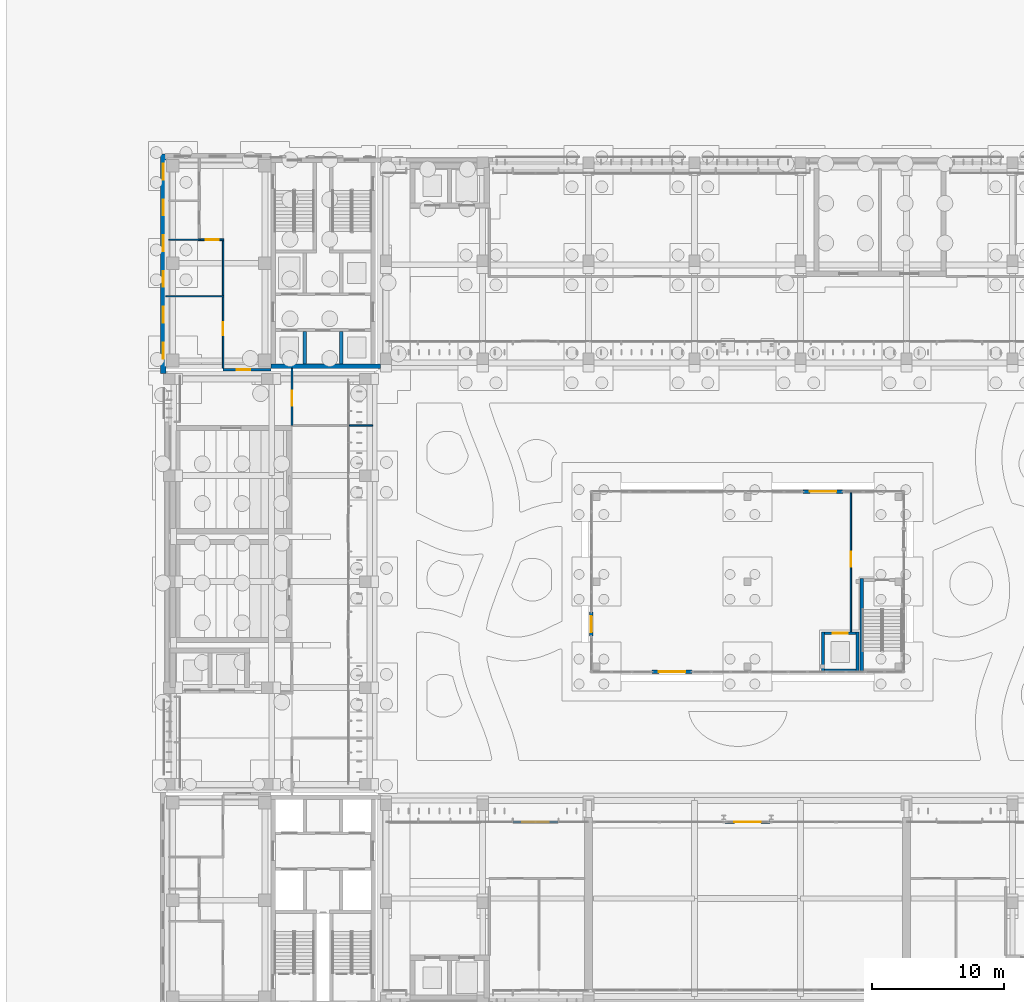
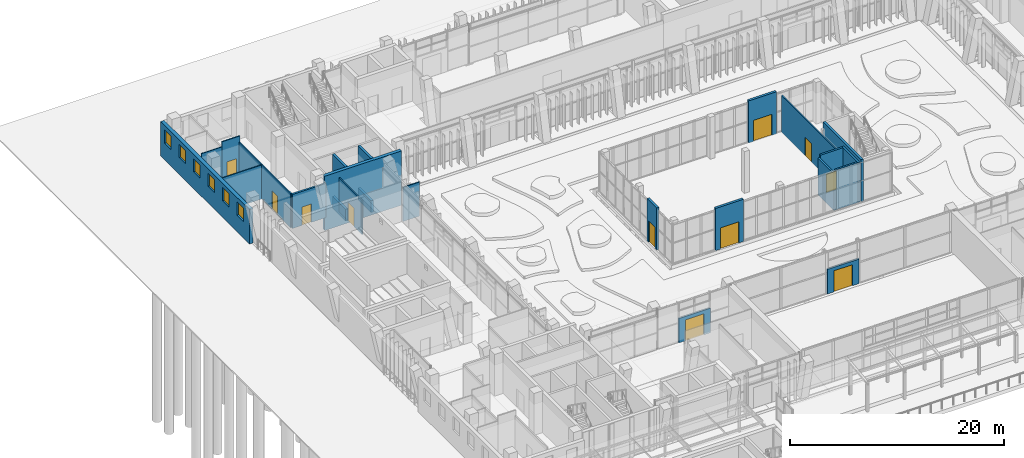
# One storey, part 109 of 144: 24 walls, 11 doors, 6 windows, 17 openings.
"""IFC4 building model written with IfcOpenShell, lengths in metres."""

from ifc_helpers import new_model, si_unit, direction, frame, frame_2d, origin, place, context, subcontext, project, spatial, rectangle, extrude, material, layer, layer_set, type_object, element, fill, save


model = new_model("IFC4")

# Units and contexts
model_context = context("Model", 3, precision=1e-05, world=origin(), true_north=direction((0.0, 1.0)))
body_context = subcontext(model_context, "Body", "Model", "MODEL_VIEW")
ifc_project = project(units=[si_unit("LENGTHUNIT", "METRE"), si_unit("AREAUNIT", "SQUARE_METRE"), si_unit("VOLUMEUNIT", "CUBIC_METRE"), si_unit("PLANEANGLEUNIT", "RADIAN"), si_unit("MASSUNIT", "GRAM", prefix="KILO")], contexts=[model_context])

# Site, building, storey
site_placement = place(None, origin())
site = spatial("IfcSite", under=ifc_project, at=site_placement, CompositionType="ELEMENT")
building_placement = place(site_placement, origin())
building = spatial("IfcBuilding", under=site, at=building_placement, Name="Lantern Court Media Centre", CompositionType="ELEMENT")
storey_placement = place(building_placement, origin())
storey = spatial("IfcBuildingStorey", under=building, at=storey_placement, Name="L00", CompositionType="ELEMENT", Elevation=0.0)

# Wall, opening, door
ifc_material_1 = material(Name="Gypsum board partition")
ifc_layer_1 = layer(ifc_material_1, 0.125)
ifc_layer_set_1 = layer_set([ifc_layer_1], Name="Gypsum board partition")
wall_type_1 = type_object("IfcWallType", Name="Corridor partition 125", PredefinedType="PARTITIONING", material=ifc_layer_set_1)
wall_1_placement = place(storey_placement, frame((17.60009765625, 91.800048828125, 0.0), z_axis=(0.0, 0.0, 1.0), x_axis=(0.0, 1.0, 0.0)))
wall_1 = element("IfcWall", 1, at=wall_1_placement, inside=storey, type_object=wall_type_1, Name="L00 partition 015", PredefinedType="PARTITIONING", context=body_context, shape_type="SweptSolid", body=[
    extrude(rectangle(XDim=4.300048828125, YDim=0.125, at=frame_2d((2.14990234375, 0.0))), origin(), (0.0, 0.0, 1.0), 3.8798828125),
])
opening_1_placement = place(wall_1_placement, frame((1.47509765625, 0.0, 0.0)))
opening_1 = element("IfcOpeningElement", 2, at=opening_1_placement, cuts=wall_1, Name="Opening L00-011", PredefinedType="OPENING", context=body_context, shape_type="SweptSolid", body=[
    extrude(rectangle(XDim=1.14990234375, YDim=2.10009765625, at=frame_2d((0.574951171875, 1.050048828125))), frame((0.0, 0.072509765625, 0.0), z_axis=(0.0, -1.0, 0.0), x_axis=(1.0, 0.0, 0.0)), (0.0, 0.0, 1.0), 0.14501953125),
])
ifc_material_2 = material(Name="Solid-core timber door leaf", Category="wood")
door_type_1 = type_object("IfcDoorType", Name="Single door 1150x2100", OperationType="NOTDEFINED", PredefinedType="DOOR", material=ifc_material_2)
door_1_placement = place(opening_1_placement, frame((1.14990234375, 0.0, 0.0), z_axis=(0.0, 0.0, 1.0), x_axis=(-1.0, 0.0, 0.0)))
door_1 = element("IfcDoor", 3, at=door_1_placement, inside=storey, type_object=door_type_1, Name="L00 Cinema Concessions door", OperationType="SINGLE_SWING_RIGHT", OverallHeight=2.10009765625, OverallWidth=1.14990234375, PredefinedType="DOOR", context=body_context, shape_type="SweptSolid", body=[
    extrude(rectangle(XDim=1.14990234375, YDim=2.10009765625, at=frame_2d((0.574951171875, 1.050048828125))), frame((0.0, 0.02490234375, 0.0), z_axis=(0.0, -1.0, 0.0), x_axis=(1.0, 0.0, 0.0)), (0.0, 0.0, 1.0), 0.050048828125),
])
fill(opening_1, door_1)

# Wall
wall_2_placement = place(storey_placement, frame((21.929931640625, 91.800048828125, 0.0), z_axis=(0.0, 0.0, 1.0), x_axis=(1.0, 0.0, 0.0)))
element("IfcWall", 4, at=wall_2_placement, inside=storey, type_object=wall_type_1, Name="L00 partition 021", PredefinedType="PARTITIONING", context=body_context, shape_type="SweptSolid", body=[
    extrude(rectangle(XDim=1.77001953125, YDim=0.125, at=frame_2d((0.885009765625, 0.0))), origin(), (0.0, 0.0, 1.0), 3.8798828125),
])

# Wall, opening, door
wall_3_placement = place(storey_placement, frame((12.39990234375, 96.10009765625, 0.0), z_axis=(0.0, 0.0, 1.0), x_axis=(0.0, 1.0, 0.0)))
wall_3 = element("IfcWall", 5, at=wall_3_placement, inside=storey, type_object=wall_type_1, Name="L00 partition 029", PredefinedType="PARTITIONING", context=body_context, shape_type="SweptSolid", body=[
    extrude(rectangle(XDim=9.65771484375, YDim=0.125, at=frame_2d((4.828857421875, 0.0))), origin(), (0.0, 0.0, 1.0), 3.8798828125),
])
opening_2_placement = place(wall_3_placement, frame((2.50146484375, 0.0, 0.0)))
opening_2 = element("IfcOpeningElement", 6, at=opening_2_placement, cuts=wall_3, Name="Opening L00-028", PredefinedType="OPENING", context=body_context, shape_type="SweptSolid", body=[
    extrude(rectangle(XDim=1.0, YDim=2.10009765625, at=frame_2d((0.5, 1.050048828125))), frame((0.0, 0.072509765625, 0.0), z_axis=(0.0, -1.0, 0.0), x_axis=(1.0, 0.0, 0.0)), (0.0, 0.0, 1.0), 0.14501953125),
])
door_type_2 = type_object("IfcDoorType", Name="Single door 1000x2100", OperationType="NOTDEFINED", PredefinedType="DOOR", material=ifc_material_2)
door_2_placement = place(opening_2_placement, origin())
door_2 = element("IfcDoor", 7, at=door_2_placement, inside=storey, type_object=door_type_2, Name="L00 Media Training Room 04 door", OperationType="SINGLE_SWING_LEFT", OverallHeight=2.10009765625, OverallWidth=1.0, PredefinedType="DOOR", context=body_context, shape_type="SweptSolid", body=[
    extrude(rectangle(XDim=1.0, YDim=2.10009765625, at=frame_2d((0.5, 1.050048828125))), frame((0.0, 0.02490234375, 0.0), z_axis=(0.0, -1.0, 0.0), x_axis=(1.0, 0.0, 0.0)), (0.0, 0.0, 1.0), 0.050048828125),
])
fill(opening_2, door_2)

wall_4_placement = place(storey_placement, frame((10.53759765625, 105.820068359375, 0.0), z_axis=(0.0, 0.0, 1.0), x_axis=(1.0, 0.0, 0.0)))
wall_4 = element("IfcWall", 8, at=wall_4_placement, inside=storey, type_object=wall_type_1, Name="L00 partition 049", PredefinedType="PARTITIONING", context=body_context, shape_type="SweptSolid", body=[
    extrude(rectangle(XDim=1.9248046875, YDim=0.125, at=frame_2d((0.96240234375, 0.0))), origin(), (0.0, 0.0, 1.0), 4.56005859375),
])
opening_3_placement = place(wall_4_placement, frame((0.53515625, 0.0, 0.0)))
opening_3 = element("IfcOpeningElement", 9, at=opening_3_placement, cuts=wall_4, Name="Opening L00-027", PredefinedType="OPENING", context=body_context, shape_type="SweptSolid", body=[
    extrude(rectangle(XDim=1.0, YDim=2.10009765625, at=frame_2d((0.5, 1.050048828125))), frame((0.0, 0.072509765625, 0.0), z_axis=(0.0, -1.0, 0.0), x_axis=(1.0, 0.0, 0.0)), (0.0, 0.0, 1.0), 0.14501953125),
])
door_3_placement = place(opening_3_placement, frame((1.0, 0.0, 0.0), z_axis=(0.0, 0.0, 1.0), x_axis=(-1.0, 0.0, 0.0)))
door_3 = element("IfcDoor", 10, at=door_3_placement, inside=storey, type_object=door_type_2, Name="L00 Production Reception door", OperationType="SINGLE_SWING_RIGHT", OverallHeight=2.10009765625, OverallWidth=1.0, PredefinedType="DOOR", context=body_context, shape_type="SweptSolid", body=[
    extrude(rectangle(XDim=1.0, YDim=2.10009765625, at=frame_2d((0.5, 1.050048828125))), frame((0.0, 0.02490234375, 0.0), z_axis=(0.0, -1.0, 0.0), x_axis=(1.0, 0.0, 0.0)), (0.0, 0.0, 1.0), 0.050048828125),
])
fill(opening_3, door_3)

wall_5_placement = place(storey_placement, frame((59.800048828125, 76.199951171875, 0.0), z_axis=(0.0, 0.0, 1.0), x_axis=(0.0, 1.0, 0.0)))
wall_5 = element("IfcWall", 11, at=wall_5_placement, inside=storey, type_object=wall_type_1, Name="L00 partition 066", PredefinedType="PARTITIONING", context=body_context, shape_type="SweptSolid", body=[
    extrude(rectangle(XDim=10.5, YDim=0.125, at=frame_2d((5.25, 0.0))), origin(), (0.0, 0.0, 1.0), 4.179931640625),
])
opening_4_placement = place(wall_5_placement, frame((4.9150390625, 0.0, 0.0)))
opening_4 = element("IfcOpeningElement", 12, at=opening_4_placement, cuts=wall_5, Name="Opening L00-044", PredefinedType="OPENING", context=body_context, shape_type="SweptSolid", body=[
    extrude(rectangle(XDim=1.14990234375, YDim=2.10009765625, at=frame_2d((0.574951171875, 1.050048828125))), frame((0.0, 0.072509765625, 0.0), z_axis=(0.0, -1.0, 0.0), x_axis=(1.0, 0.0, 0.0)), (0.0, 0.0, 1.0), 0.14501953125),
])
door_4_placement = place(opening_4_placement, frame((1.14990234375, 0.0, 0.0), z_axis=(0.0, 0.0, 1.0), x_axis=(-1.0, 0.0, 0.0)))
door_4 = element("IfcDoor", 13, at=door_4_placement, inside=storey, type_object=door_type_1, Name="L00 Press Lounge door", OperationType="SINGLE_SWING_LEFT", OverallHeight=2.10009765625, OverallWidth=1.14990234375, PredefinedType="DOOR", context=body_context, shape_type="SweptSolid", body=[
    extrude(rectangle(XDim=1.14990234375, YDim=2.10009765625, at=frame_2d((0.574951171875, 1.050048828125))), frame((0.0, 0.02490234375, 0.0), z_axis=(0.0, -1.0, 0.0), x_axis=(1.0, 0.0, 0.0)), (0.0, 0.0, 1.0), 0.050048828125),
])
fill(opening_4, door_4)

ifc_material_3 = material(Name="Insulated rendered blockwork", Category="masonry")
ifc_layer_2 = layer(ifc_material_3, 0.179931640625)
ifc_layer_set_2 = layer_set([ifc_layer_2], Name="Insulated rendered blockwork")
wall_type_2 = type_object("IfcWallType", Name="Entrance bay infill wall 180", PredefinedType="SOLIDWALL", material=ifc_layer_set_2)
wall_6_placement = place(storey_placement, frame((34.300048828125, 61.85009765625, 0.0), z_axis=(0.0, 0.0, 1.0), x_axis=(1.0, 0.0, 0.0)))
wall_6 = element("IfcWall", 14, at=wall_6_placement, inside=storey, type_object=wall_type_2, Name="Entrance bay wall S inner L00", PredefinedType="SOLIDWALL", context=body_context, shape_type="SweptSolid", body=[
    extrude(rectangle(XDim=3.39990234375, YDim=0.179931640625, at=frame_2d((1.699951171875, 0.0))), origin(), (0.0, 0.0, 1.0), 2.800048828125),
])
opening_5_placement = place(wall_6_placement, frame((0.699951171875, 0.0, 0.0)))
opening_5 = element("IfcOpeningElement", 15, at=opening_5_placement, cuts=wall_6, Name="Opening XD03", PredefinedType="OPENING", context=body_context, shape_type="SweptSolid", body=[
    extrude(rectangle(XDim=2.0, YDim=2.39990234375, at=frame_2d((1.0, 1.199951171875))), frame((0.0, 0.099853515625, 0.0), z_axis=(0.0, -1.0, 0.0), x_axis=(1.0, 0.0, 0.0)), (0.0, 0.0, 1.0), 0.199951171875),
])
ifc_material_4 = material(Name="Anodised aluminium and glass", Category="aluminium")
door_type_3 = type_object("IfcDoorType", Name="Entrance double door 2000x2400", OperationType="DOUBLE_DOOR_SINGLE_SWING", PredefinedType="DOOR", material=ifc_material_4)
door_5_placement = place(opening_5_placement, origin())
door_5 = element("IfcDoor", 16, at=door_5_placement, inside=storey, type_object=door_type_3, Name="Entrance door XD03", OperationType="SINGLE_SWING_LEFT", OverallHeight=2.39990234375, OverallWidth=2.0, PredefinedType="DOOR", context=body_context, shape_type="SweptSolid", body=[
    extrude(rectangle(XDim=2.0, YDim=2.39990234375, at=frame_2d((1.0, 1.199951171875))), frame((0.0, 0.02490234375, 0.0), z_axis=(0.0, -1.0, 0.0), x_axis=(1.0, 0.0, 0.0)), (0.0, 0.0, 1.0), 0.050048828125),
])
fill(opening_5, door_5)

ifc_layer_3 = layer(ifc_material_3, 0.199951171875)
ifc_layer_set_3 = layer_set([ifc_layer_3], Name="Insulated rendered blockwork")
wall_type_3 = type_object("IfcWallType", Name="Entrance bay infill wall 200", PredefinedType="SOLIDWALL", material=ifc_layer_set_3)
wall_7_placement = place(storey_placement, frame((50.300048828125, 61.85009765625, 0.0), z_axis=(0.0, 0.0, 1.0), x_axis=(1.0, 0.0, 0.0)))
wall_7 = element("IfcWall", 17, at=wall_7_placement, inside=storey, type_object=wall_type_3, Name="Entrance hall portal wall", PredefinedType="SOLIDWALL", context=body_context, shape_type="SweptSolid", body=[
    extrude(rectangle(XDim=3.39990234375, YDim=0.199951171875, at=frame_2d((1.699951171875, 0.0))), origin(), (0.0, 0.0, 1.0), 2.800048828125),
])
opening_6_placement = place(wall_7_placement, frame((0.699951171875, 0.0, 0.0)))
opening_6 = element("IfcOpeningElement", 18, at=opening_6_placement, cuts=wall_7, Name="Opening XD08", PredefinedType="OPENING", context=body_context, shape_type="SweptSolid", body=[
    extrude(rectangle(XDim=2.0, YDim=2.39990234375, at=frame_2d((1.0, 1.199951171875))), frame((0.0, 0.10986328125, 0.0), z_axis=(0.0, -1.0, 0.0), x_axis=(1.0, 0.0, 0.0)), (0.0, 0.0, 1.0), 0.219970703125),
])
door_6_placement = place(opening_6_placement, origin())
door_6 = element("IfcDoor", 19, at=door_6_placement, inside=storey, type_object=door_type_3, Name="Entrance door XD08", OperationType="SINGLE_SWING_LEFT", OverallHeight=2.39990234375, OverallWidth=2.0, PredefinedType="DOOR", context=body_context, shape_type="SweptSolid", body=[
    extrude(rectangle(XDim=2.0, YDim=2.39990234375, at=frame_2d((1.0, 1.199951171875))), frame((0.0, 0.02490234375, 0.0), z_axis=(0.0, -1.0, 0.0), x_axis=(1.0, 0.0, 0.0)), (0.0, 0.0, 1.0), 0.050048828125),
])
fill(opening_6, door_6)

# Wall, openings, windows
ifc_material_5 = material(Name="Honed limestone cladding on blockwork", Category="masonry")
ifc_layer_4 = layer(ifc_material_5, 0.39990234375)
ifc_layer_set_4 = layer_set([ifc_layer_4], Name="Honed limestone cladding on blockwork")
wall_type_4 = type_object("IfcWallType", Name="Limestone plinth wall 400", PredefinedType="SOLIDWALL", material=ifc_layer_set_4)
wall_8_placement = place(storey_placement, frame((7.8798828125, 95.72509765625, 0.0), z_axis=(0.0, 0.0, 1.0), x_axis=(0.0, 1.0, 0.0)))
wall_8 = element("IfcWall", 20, at=wall_8_placement, inside=storey, type_object=wall_type_4, Name="Limestone wall NW W L00", PredefinedType="SOLIDWALL", context=body_context, shape_type="SweptSolid", body=[
    extrude(rectangle(XDim=16.574951171875, YDim=0.39990234375, at=frame_2d((8.28759765625, 0.0))), origin(), (0.0, 0.0, 1.0), 3.89990234375),
])
opening_7_placement = place(wall_8_placement, frame((1.125, 0.0, 1.89990234375)))
opening_7 = element("IfcOpeningElement", 21, at=opening_7_placement, cuts=wall_8, Name="Opening WN-C", PredefinedType="OPENING", context=body_context, shape_type="SweptSolid", body=[
    extrude(rectangle(XDim=1.199951171875, YDim=1.5, at=frame_2d((0.60009765625, 0.75))), frame((0.0, 0.2099609375, 0.0), z_axis=(0.0, -1.0, 0.0), x_axis=(1.0, 0.0, 0.0)), (0.0, 0.0, 1.0), 0.419921875),
])
opening_8_placement = place(wall_8_placement, frame((3.824951171875, 0.0, 1.89990234375)))
opening_8 = element("IfcOpeningElement", 22, at=opening_8_placement, cuts=wall_8, Name="Opening WN-C", PredefinedType="OPENING", context=body_context, shape_type="SweptSolid", body=[
    extrude(rectangle(XDim=1.199951171875, YDim=1.5, at=frame_2d((0.60009765625, 0.75))), frame((0.0, 0.2099609375, 0.0), z_axis=(0.0, -1.0, 0.0), x_axis=(1.0, 0.0, 0.0)), (0.0, 0.0, 1.0), 0.419921875),
])
opening_9_placement = place(wall_8_placement, frame((6.52490234375, 0.0, 1.89990234375)))
opening_9 = element("IfcOpeningElement", 23, at=opening_9_placement, cuts=wall_8, Name="Opening WN-C", PredefinedType="OPENING", context=body_context, shape_type="SweptSolid", body=[
    extrude(rectangle(XDim=1.199951171875, YDim=1.5, at=frame_2d((0.60009765625, 0.75))), frame((0.0, 0.2099609375, 0.0), z_axis=(0.0, -1.0, 0.0), x_axis=(1.0, 0.0, 0.0)), (0.0, 0.0, 1.0), 0.419921875),
])
opening_10_placement = place(wall_8_placement, frame((9.22509765625, 0.0, 1.89990234375)))
opening_10 = element("IfcOpeningElement", 24, at=opening_10_placement, cuts=wall_8, Name="Opening WN-C", PredefinedType="OPENING", context=body_context, shape_type="SweptSolid", body=[
    extrude(rectangle(XDim=1.199951171875, YDim=1.5, at=frame_2d((0.60009765625, 0.75))), frame((0.0, 0.2099609375, 0.0), z_axis=(0.0, -1.0, 0.0), x_axis=(1.0, 0.0, 0.0)), (0.0, 0.0, 1.0), 0.419921875),
])
opening_11_placement = place(wall_8_placement, frame((11.925048828125, 0.0, 1.89990234375)))
opening_11 = element("IfcOpeningElement", 25, at=opening_11_placement, cuts=wall_8, Name="Opening WN-C", PredefinedType="OPENING", context=body_context, shape_type="SweptSolid", body=[
    extrude(rectangle(XDim=1.199951171875, YDim=1.5, at=frame_2d((0.60009765625, 0.75))), frame((0.0, 0.2099609375, 0.0), z_axis=(0.0, -1.0, 0.0), x_axis=(1.0, 0.0, 0.0)), (0.0, 0.0, 1.0), 0.419921875),
])
opening_12_placement = place(wall_8_placement, frame((14.625, 0.0, 1.89990234375)))
opening_12 = element("IfcOpeningElement", 26, at=opening_12_placement, cuts=wall_8, Name="Opening WN-C", PredefinedType="OPENING", context=body_context, shape_type="SweptSolid", body=[
    extrude(rectangle(XDim=1.199951171875, YDim=1.5, at=frame_2d((0.60009765625, 0.75))), frame((0.0, 0.2099609375, 0.0), z_axis=(0.0, -1.0, 0.0), x_axis=(1.0, 0.0, 0.0)), (0.0, 0.0, 1.0), 0.419921875),
])
window_type = type_object("IfcWindowType", Name="Clerestory window 1200x1500", PartitioningType="SINGLE_PANEL", PredefinedType="WINDOW", material=ifc_material_4)
window_1_placement = place(opening_7_placement, origin())
window_1 = element("IfcWindow", 27, at=window_1_placement, inside=storey, type_object=window_type, Name="Window NW W L00", OverallHeight=1.5, OverallWidth=1.199951171875, PartitioningType="SINGLE_PANEL", PredefinedType="WINDOW", context=body_context, shape_type="SweptSolid", body=[
    extrude(rectangle(XDim=1.199951171875, YDim=1.5, at=frame_2d((0.60009765625, 0.75))), frame((0.0, 0.030029296875, 0.0), z_axis=(0.0, -1.0, 0.0), x_axis=(1.0, 0.0, 0.0)), (0.0, 0.0, 1.0), 0.06005859375),
])
fill(opening_7, window_1)
window_2_placement = place(opening_8_placement, origin())
window_2 = element("IfcWindow", 28, at=window_2_placement, inside=storey, type_object=window_type, Name="Window NW W L00", OverallHeight=1.5, OverallWidth=1.199951171875, PartitioningType="SINGLE_PANEL", PredefinedType="WINDOW", context=body_context, shape_type="SweptSolid", body=[
    extrude(rectangle(XDim=1.199951171875, YDim=1.5, at=frame_2d((0.60009765625, 0.75))), frame((0.0, 0.030029296875, 0.0), z_axis=(0.0, -1.0, 0.0), x_axis=(1.0, 0.0, 0.0)), (0.0, 0.0, 1.0), 0.06005859375),
])
fill(opening_8, window_2)
window_3_placement = place(opening_9_placement, origin())
window_3 = element("IfcWindow", 29, at=window_3_placement, inside=storey, type_object=window_type, Name="Window NW W L00", OverallHeight=1.5, OverallWidth=1.199951171875, PartitioningType="SINGLE_PANEL", PredefinedType="WINDOW", context=body_context, shape_type="SweptSolid", body=[
    extrude(rectangle(XDim=1.199951171875, YDim=1.5, at=frame_2d((0.60009765625, 0.75))), frame((0.0, 0.030029296875, 0.0), z_axis=(0.0, -1.0, 0.0), x_axis=(1.0, 0.0, 0.0)), (0.0, 0.0, 1.0), 0.06005859375),
])
fill(opening_9, window_3)
window_4_placement = place(opening_10_placement, origin())
window_4 = element("IfcWindow", 30, at=window_4_placement, inside=storey, type_object=window_type, Name="Window NW W L00", OverallHeight=1.5, OverallWidth=1.199951171875, PartitioningType="SINGLE_PANEL", PredefinedType="WINDOW", context=body_context, shape_type="SweptSolid", body=[
    extrude(rectangle(XDim=1.199951171875, YDim=1.5, at=frame_2d((0.60009765625, 0.75))), frame((0.0, 0.030029296875, 0.0), z_axis=(0.0, -1.0, 0.0), x_axis=(1.0, 0.0, 0.0)), (0.0, 0.0, 1.0), 0.06005859375),
])
fill(opening_10, window_4)
window_5_placement = place(opening_11_placement, origin())
window_5 = element("IfcWindow", 31, at=window_5_placement, inside=storey, type_object=window_type, Name="Window NW W L00", OverallHeight=1.5, OverallWidth=1.199951171875, PartitioningType="SINGLE_PANEL", PredefinedType="WINDOW", context=body_context, shape_type="SweptSolid", body=[
    extrude(rectangle(XDim=1.199951171875, YDim=1.5, at=frame_2d((0.60009765625, 0.75))), frame((0.0, 0.030029296875, 0.0), z_axis=(0.0, -1.0, 0.0), x_axis=(1.0, 0.0, 0.0)), (0.0, 0.0, 1.0), 0.06005859375),
])
fill(opening_11, window_5)
window_6_placement = place(opening_12_placement, origin())
window_6 = element("IfcWindow", 32, at=window_6_placement, inside=storey, type_object=window_type, Name="Window NW W L00", OverallHeight=1.5, OverallWidth=1.199951171875, PartitioningType="SINGLE_PANEL", PredefinedType="WINDOW", context=body_context, shape_type="SweptSolid", body=[
    extrude(rectangle(XDim=1.199951171875, YDim=1.5, at=frame_2d((0.60009765625, 0.75))), frame((0.0, 0.030029296875, 0.0), z_axis=(0.0, -1.0, 0.0), x_axis=(1.0, 0.0, 0.0)), (0.0, 0.0, 1.0), 0.06005859375),
])
fill(opening_12, window_6)

# Wall, opening, door
ifc_material_6 = material(Name="Fire-rated gypsum board")
ifc_layer_5 = layer(ifc_material_6, 0.199951171875)
ifc_layer_set_5 = layer_set([ifc_layer_5], Name="Fire-rated gypsum board")
wall_type_5 = type_object("IfcWallType", Name="Movement-joint compartment wall 200", PredefinedType="PARTITIONING", material=ifc_layer_set_5)
wall_9_placement = place(storey_placement, frame((12.39990234375, 96.0, 0.0), z_axis=(0.0, 0.0, 1.0), x_axis=(1.0, 0.0, 0.0)))
wall_9 = element("IfcWall", 33, at=wall_9_placement, inside=storey, type_object=wall_type_5, Name="L00 movement-joint wall 02", PredefinedType="PARTITIONING", context=body_context, shape_type="SweptSolid", body=[
    extrude(rectangle(XDim=3.60009765625, YDim=0.199951171875, at=frame_2d((1.800048828125, 0.0))), origin(), (0.0, 0.0, 1.0), 3.8798828125),
])
opening_13_placement = place(wall_9_placement, frame((1.050048828125, 0.0, 0.0)))
opening_13 = element("IfcOpeningElement", 34, at=opening_13_placement, cuts=wall_9, Name="Opening L00-J02", PredefinedType="OPENING", context=body_context, shape_type="SweptSolid", body=[
    extrude(rectangle(XDim=1.0, YDim=2.10009765625, at=frame_2d((0.5, 1.050048828125))), frame((0.0, 0.10986328125, 0.0), z_axis=(0.0, -1.0, 0.0), x_axis=(1.0, 0.0, 0.0)), (0.0, 0.0, 1.0), 0.219970703125),
])
ifc_material_7 = material(Name="Steel door leaf", Category="steel")
door_type_4 = type_object("IfcDoorType", Name="Movement-joint fire door 1000x2100", OperationType="NOTDEFINED", PredefinedType="DOOR", material=ifc_material_7)
door_7_placement = place(opening_13_placement, origin())
door_7 = element("IfcDoor", 35, at=door_7_placement, inside=storey, type_object=door_type_4, Name="L00 bar end lobby door 02", OperationType="SINGLE_SWING_LEFT", OverallHeight=2.10009765625, OverallWidth=1.0, PredefinedType="DOOR", context=body_context, shape_type="SweptSolid", body=[
    extrude(rectangle(XDim=1.0, YDim=2.10009765625, at=frame_2d((0.5, 1.050048828125))), frame((0.0, 0.02490234375, 0.0), z_axis=(0.0, -1.0, 0.0), x_axis=(1.0, 0.0, 0.0)), (0.0, 0.0, 1.0), 0.050048828125),
])
fill(opening_13, door_7)

# Walls
ifc_layer_6 = layer(ifc_material_1, 0.10009765625)
ifc_layer_set_6 = layer_set([ifc_layer_6], Name="Gypsum board partition")
wall_type_6 = type_object("IfcWallType", Name="Partition 100", PredefinedType="PARTITIONING", material=ifc_layer_set_6)
wall_10_placement = place(storey_placement, frame((8.080078125, 101.552978515625, 0.0), z_axis=(0.0, 0.0, 1.0), x_axis=(1.0, 0.0, 0.0)))
element("IfcWall", 36, at=wall_10_placement, inside=storey, type_object=wall_type_6, Name="L00 partition 047", PredefinedType="PARTITIONING", context=body_context, shape_type="SweptSolid", body=[
    extrude(rectangle(XDim=4.38232421875, YDim=0.10009765625, at=frame_2d((2.191162109375, 0.0))), origin(), (0.0, 0.0, 1.0), 3.8798828125),
])
wall_11_placement = place(storey_placement, frame((8.300048828125, 105.820068359375, 0.0), z_axis=(0.0, 0.0, 1.0), x_axis=(1.0, 0.0, 0.0)))
element("IfcWall", 37, at=wall_11_placement, inside=storey, type_object=wall_type_6, Name="L00 partition 048", PredefinedType="PARTITIONING", context=body_context, shape_type="SweptSolid", body=[
    extrude(rectangle(XDim=2.362548828125, YDim=0.10009765625, at=frame_2d((1.18115234375, 0.0))), origin(), (0.0, 0.0, 1.0), 3.97998046875),
])

# Wall, opening, door
ifc_material_8 = material(Name="Limestone masonry, insulated", Category="masonry")
ifc_layer_7 = layer(ifc_material_8, 0.25)
ifc_layer_set_7 = layer_set([ifc_layer_7], Name="Limestone masonry, insulated")
wall_type_7 = type_object("IfcWallType", Name="Press box portal wall 250", PredefinedType="SOLIDWALL", material=ifc_layer_set_7)
wall_12_placement = place(storey_placement, frame((44.800048828125, 73.199951171875, 0.0), z_axis=(0.0, 0.0, 1.0), x_axis=(1.0, 0.0, 0.0)))
wall_12 = element("IfcWall", 38, at=wall_12_placement, inside=storey, type_object=wall_type_7, Name="Press box entrance wall S", PredefinedType="SOLIDWALL", context=body_context, shape_type="SweptSolid", body=[
    extrude(rectangle(XDim=3.0, YDim=0.25, at=frame_2d((1.5, 0.0))), origin(), (0.0, 0.0, 1.0), 4.800048828125),
])
opening_14_placement = place(wall_12_placement, frame((0.5, 0.0, 0.0)))
opening_14 = element("IfcOpeningElement", 39, at=opening_14_placement, cuts=wall_12, Name="Opening D-PB01", PredefinedType="OPENING", context=body_context, shape_type="SweptSolid", body=[
    extrude(rectangle(XDim=2.0, YDim=2.39990234375, at=frame_2d((1.0, 1.199951171875))), frame((0.0, 0.135009765625, 0.0), z_axis=(0.0, -1.0, 0.0), x_axis=(1.0, 0.0, 0.0)), (0.0, 0.0, 1.0), 0.27001953125),
])
ifc_material_9 = material(Name="Aluminium and laminated glass", Category="aluminium")
door_type_5 = type_object("IfcDoorType", Name="Press box entrance door, double leaf", OperationType="DOUBLE_DOOR_DOUBLE_SWING", PredefinedType="DOOR", material=ifc_material_9)
door_8_placement = place(opening_14_placement, origin())
door_8 = element("IfcDoor", 40, at=door_8_placement, inside=storey, type_object=door_type_5, Name="Press box door 1", OperationType="SINGLE_SWING_LEFT", OverallHeight=2.39990234375, OverallWidth=2.0, PredefinedType="DOOR", context=body_context, shape_type="SweptSolid", body=[
    extrude(rectangle(XDim=2.0, YDim=2.39990234375, at=frame_2d((1.0, 1.199951171875))), frame((0.0, 0.02490234375, 0.0), z_axis=(0.0, -1.0, 0.0), x_axis=(1.0, 0.0, 0.0)), (0.0, 0.0, 1.0), 0.050048828125),
])
fill(opening_14, door_8)

wall_13_placement = place(storey_placement, frame((56.199951171875, 86.800048828125, 0.0), z_axis=(0.0, 0.0, 1.0), x_axis=(1.0, 0.0, 0.0)))
wall_13 = element("IfcWall", 41, at=wall_13_placement, inside=storey, type_object=wall_type_7, Name="Press box entrance wall N", PredefinedType="SOLIDWALL", context=body_context, shape_type="SweptSolid", body=[
    extrude(rectangle(XDim=3.0, YDim=0.25, at=frame_2d((1.5, 0.0))), origin(), (0.0, 0.0, 1.0), 4.800048828125),
])
opening_15_placement = place(wall_13_placement, frame((0.5, 0.0, 0.0)))
opening_15 = element("IfcOpeningElement", 42, at=opening_15_placement, cuts=wall_13, Name="Opening D-PB02", PredefinedType="OPENING", context=body_context, shape_type="SweptSolid", body=[
    extrude(rectangle(XDim=2.0, YDim=2.39990234375, at=frame_2d((1.0, 1.199951171875))), frame((0.0, 0.135009765625, 0.0), z_axis=(0.0, -1.0, 0.0), x_axis=(1.0, 0.0, 0.0)), (0.0, 0.0, 1.0), 0.27001953125),
])
door_9_placement = place(opening_15_placement, origin())
door_9 = element("IfcDoor", 43, at=door_9_placement, inside=storey, type_object=door_type_5, Name="Press box door 2", OperationType="SINGLE_SWING_LEFT", OverallHeight=2.39990234375, OverallWidth=2.0, PredefinedType="DOOR", context=body_context, shape_type="SweptSolid", body=[
    extrude(rectangle(XDim=2.0, YDim=2.39990234375, at=frame_2d((1.0, 1.199951171875))), frame((0.0, 0.02490234375, 0.0), z_axis=(0.0, -1.0, 0.0), x_axis=(1.0, 0.0, 0.0)), (0.0, 0.0, 1.0), 0.050048828125),
])
fill(opening_15, door_9)

wall_14_placement = place(storey_placement, frame((40.199951171875, 75.89990234375, 0.0), z_axis=(0.0, 0.0, 1.0), x_axis=(0.0, 1.0, 0.0)))
wall_14 = element("IfcWall", 44, at=wall_14_placement, inside=storey, type_object=wall_type_7, Name="Press box entrance wall W", PredefinedType="SOLIDWALL", context=body_context, shape_type="SweptSolid", body=[
    extrude(rectangle(XDim=1.800048828125, YDim=0.25, at=frame_2d((0.89990234375, 0.0))), origin(), (0.0, 0.0, 1.0), 4.800048828125),
])
opening_16_placement = place(wall_14_placement, frame((0.300048828125, 0.0, 0.0)))
opening_16 = element("IfcOpeningElement", 45, at=opening_16_placement, cuts=wall_14, Name="Opening D-PB03", PredefinedType="OPENING", context=body_context, shape_type="SweptSolid", body=[
    extrude(rectangle(XDim=1.199951171875, YDim=2.39990234375, at=frame_2d((0.60009765625, 1.199951171875))), frame((0.0, 0.135009765625, 0.0), z_axis=(0.0, -1.0, 0.0), x_axis=(1.0, 0.0, 0.0)), (0.0, 0.0, 1.0), 0.27001953125),
])
door_type_6 = type_object("IfcDoorType", Name="Press box exit door, single leaf", OperationType="SINGLE_SWING_LEFT", PredefinedType="DOOR", material=ifc_material_9)
door_10_placement = place(opening_16_placement, origin())
door_10 = element("IfcDoor", 46, at=door_10_placement, inside=storey, type_object=door_type_6, Name="Press box door 3", OperationType="SINGLE_SWING_LEFT", OverallHeight=2.39990234375, OverallWidth=1.199951171875, PredefinedType="DOOR", context=body_context, shape_type="SweptSolid", body=[
    extrude(rectangle(XDim=1.199951171875, YDim=2.39990234375, at=frame_2d((0.60009765625, 1.199951171875))), frame((0.0, 0.02490234375, 0.0), z_axis=(0.0, -1.0, 0.0), x_axis=(1.0, 0.0, 0.0)), (0.0, 0.0, 1.0), 0.050048828125),
])
fill(opening_16, door_10)

# Walls
ifc_material_10 = material(Name="Concrete C40", Category="concrete")
ifc_layer_8 = layer(ifc_material_10, 0.35009765625)
ifc_layer_set_8 = layer_set([ifc_layer_8], Name="Concrete C40")
wall_type_8 = type_object("IfcWallType", Name="RC CORE WALL 350", PredefinedType="SHEAR", material=ifc_layer_set_8)
wall_15_placement = place(storey_placement, frame((16.0, 96.27490234375, -1.60009765625), z_axis=(0.0, 0.0, 1.0), x_axis=(1.0, 0.0, 0.0)))
element("IfcWall", 47, at=wall_15_placement, inside=storey, type_object=wall_type_8, Name="WC-NW-L00-S", PredefinedType="SHEAR", context=body_context, shape_type="SweptSolid", body=[
    extrude(rectangle(XDim=8.27490234375, YDim=0.35009765625, at=frame_2d((4.137451171875, 0.0))), origin(), (0.0, 0.0, 1.0), 6.18017578125),
])
ifc_layer_9 = layer(ifc_material_10, 0.199951171875)
ifc_layer_set_9 = layer_set([ifc_layer_9], Name="Concrete C40")
wall_type_9 = type_object("IfcWallType", Name="RC lift shaft wall 200", PredefinedType="SOLIDWALL", material=ifc_layer_set_9)
wall_16_placement = place(storey_placement, frame((57.699951171875, 73.199951171875, 0.0), z_axis=(0.0, 0.0, 1.0), x_axis=(0.0, 1.0, 0.0)))
element("IfcWall", 48, at=wall_16_placement, inside=storey, type_object=wall_type_9, Name="L00 PB-LIFT shaft wall W", PredefinedType="SOLIDWALL", context=body_context, shape_type="SweptSolid", body=[
    extrude(rectangle(XDim=3.0, YDim=0.199951171875, at=frame_2d((1.5, 0.0))), origin(), (0.0, 0.0, 1.0), 4.179931640625),
])
wall_17_placement = place(storey_placement, frame((60.300048828125, 73.199951171875, 0.0), z_axis=(0.0, 0.0, 1.0), x_axis=(0.0, 1.0, 0.0)))
element("IfcWall", 49, at=wall_17_placement, inside=storey, type_object=wall_type_9, Name="L00 PB-LIFT shaft wall E", PredefinedType="SOLIDWALL", context=body_context, shape_type="SweptSolid", body=[
    extrude(rectangle(XDim=3.0, YDim=0.199951171875, at=frame_2d((1.5, 0.0))), origin(), (0.0, 0.0, 1.0), 4.550048828125),
])
wall_18_placement = place(storey_placement, frame((57.800048828125, 73.300048828125, 0.0), z_axis=(0.0, 0.0, 1.0), x_axis=(1.0, 0.0, 0.0)))
element("IfcWall", 50, at=wall_18_placement, inside=storey, type_object=wall_type_9, Name="L00 PB-LIFT shaft wall S", PredefinedType="SOLIDWALL", context=body_context, shape_type="SweptSolid", body=[
    extrude(rectangle(XDim=2.39990234375, YDim=0.199951171875, at=frame_2d((1.199951171875, 0.0))), origin(), (0.0, 0.0, 1.0), 4.550048828125),
])

# Wall, opening, door
wall_19_placement = place(storey_placement, frame((57.800048828125, 76.10009765625, 0.0), z_axis=(0.0, 0.0, 1.0), x_axis=(1.0, 0.0, 0.0)))
wall_19 = element("IfcWall", 51, at=wall_19_placement, inside=storey, type_object=wall_type_9, Name="L00 PB-LIFT shaft wall N", PredefinedType="SOLIDWALL", context=body_context, shape_type="SweptSolid", body=[
    extrude(rectangle(XDim=2.39990234375, YDim=0.199951171875, at=frame_2d((1.199951171875, 0.0))), origin(), (0.0, 0.0, 1.0), 4.550048828125),
])
opening_17_placement = place(wall_19_placement, frame((0.64990234375, 0.0, 0.0)))
opening_17 = element("IfcOpeningElement", 52, at=opening_17_placement, cuts=wall_19, Name="Opening LD-PB-LIFT-L00", PredefinedType="OPENING", context=body_context, shape_type="SweptSolid", body=[
    extrude(rectangle(XDim=1.10009765625, YDim=2.10009765625, at=frame_2d((0.550048828125, 1.050048828125))), frame((0.0, 0.10986328125, 0.0), z_axis=(0.0, -1.0, 0.0), x_axis=(1.0, 0.0, 0.0)), (0.0, 0.0, 1.0), 0.219970703125),
])
door_type_7 = type_object("IfcDoorType", Name="Lift landing door 1100x2100", OperationType="DOUBLE_DOOR_SLIDING", PredefinedType="DOOR", material=ifc_material_7)
door_11_placement = place(opening_17_placement, origin())
door_11 = element("IfcDoor", 53, at=door_11_placement, inside=storey, type_object=door_type_7, Name="L00 PB-LIFT lift landing door", OperationType="DOUBLE_DOOR_SLIDING", OverallHeight=2.10009765625, OverallWidth=1.10009765625, PredefinedType="DOOR", context=body_context, shape_type="SweptSolid", body=[
    extrude(rectangle(XDim=1.10009765625, YDim=2.10009765625, at=frame_2d((0.550048828125, 1.050048828125))), frame((0.0, 0.02490234375, 0.0), z_axis=(0.0, -1.0, 0.0), x_axis=(1.0, 0.0, 0.0)), (0.0, 0.0, 1.0), 0.050048828125),
])
fill(opening_17, door_11)

# Walls
ifc_layer_10 = layer(ifc_material_10, 0.25)
ifc_layer_set_10 = layer_set([ifc_layer_10], Name="Concrete C40")
wall_type_10 = type_object("IfcWallType", Name="RC lift shaft wall 250", PredefinedType="SOLIDWALL", material=ifc_layer_set_10)
wall_20_placement = place(storey_placement, frame((18.574951171875, 98.89990234375, 0.0), z_axis=(0.0, 0.0, 1.0), x_axis=(0.0, -1.0, 0.0)))
element("IfcWall", 54, at=wall_20_placement, inside=storey, type_object=wall_type_10, Name="L00 NW L1b", PredefinedType="SOLIDWALL", context=body_context, shape_type="SweptSolid", body=[
    extrude(rectangle(XDim=2.449951171875, YDim=0.25, at=frame_2d((1.22509765625, 0.0))), origin(), (0.0, 0.0, 1.0), 4.550048828125),
])
wall_21_placement = place(storey_placement, frame((18.574951171875, 98.89990234375, -1.60009765625), z_axis=(0.0, 0.0, 1.0), x_axis=(0.0, -1.0, 0.0)))
element("IfcWall", 55, at=wall_21_placement, inside=storey, type_object=wall_type_10, Name="L00 NW L1b foundation wall", PredefinedType="SOLIDWALL", context=body_context, shape_type="SweptSolid", body=[
    extrude(rectangle(XDim=2.449951171875, YDim=0.25, at=frame_2d((1.22509765625, 0.0))), origin(), (0.0, 0.0, 1.0), 1.35009765625),
])
wall_22_placement = place(storey_placement, frame((21.324951171875, 98.89990234375, 0.0), z_axis=(0.0, 0.0, 1.0), x_axis=(0.0, -1.0, 0.0)))
element("IfcWall", 56, at=wall_22_placement, inside=storey, type_object=wall_type_10, Name="L00 NW L2b", PredefinedType="SOLIDWALL", context=body_context, shape_type="SweptSolid", body=[
    extrude(rectangle(XDim=2.449951171875, YDim=0.25, at=frame_2d((1.22509765625, 0.0))), origin(), (0.0, 0.0, 1.0), 4.550048828125),
])
wall_23_placement = place(storey_placement, frame((21.324951171875, 98.89990234375, -1.60009765625), z_axis=(0.0, 0.0, 1.0), x_axis=(0.0, -1.0, 0.0)))
element("IfcWall", 57, at=wall_23_placement, inside=storey, type_object=wall_type_10, Name="L00 NW L2b foundation wall", PredefinedType="SOLIDWALL", context=body_context, shape_type="SweptSolid", body=[
    extrude(rectangle(XDim=2.449951171875, YDim=0.25, at=frame_2d((1.22509765625, 0.0))), origin(), (0.0, 0.0, 1.0), 1.35009765625),
])
ifc_layer_11 = layer(ifc_material_10, 0.25)
ifc_layer_set_11 = layer_set([ifc_layer_11], Name="Concrete C40")
wall_type_11 = type_object("IfcWallType", Name="RC stair shaft wall 250", PredefinedType="SOLIDWALL", material=ifc_layer_set_11)
wall_24_placement = place(storey_placement, frame((60.625, 73.14990234375, 0.0), z_axis=(0.0, 0.0, 1.0), x_axis=(0.0, 1.0, 0.0)))
element("IfcWall", 58, at=wall_24_placement, inside=storey, type_object=wall_type_11, Name="L00 PRESS-ST shaft wall W", PredefinedType="SOLIDWALL", context=body_context, shape_type="SweptSolid", body=[
    extrude(rectangle(XDim=7.10009765625, YDim=0.25, at=frame_2d((3.550048828125, 0.0))), origin(), (0.0, 0.0, 1.0), 4.800048828125),
])

save(model, "model.ifc")
